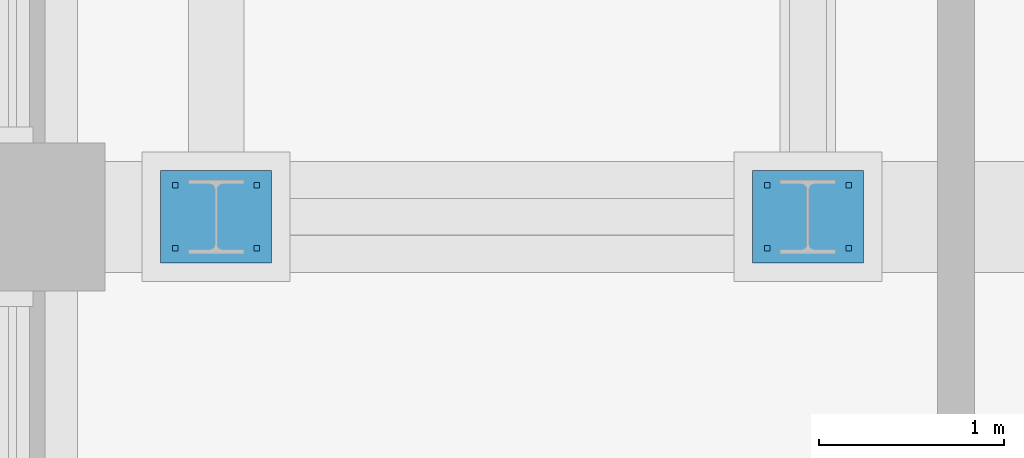
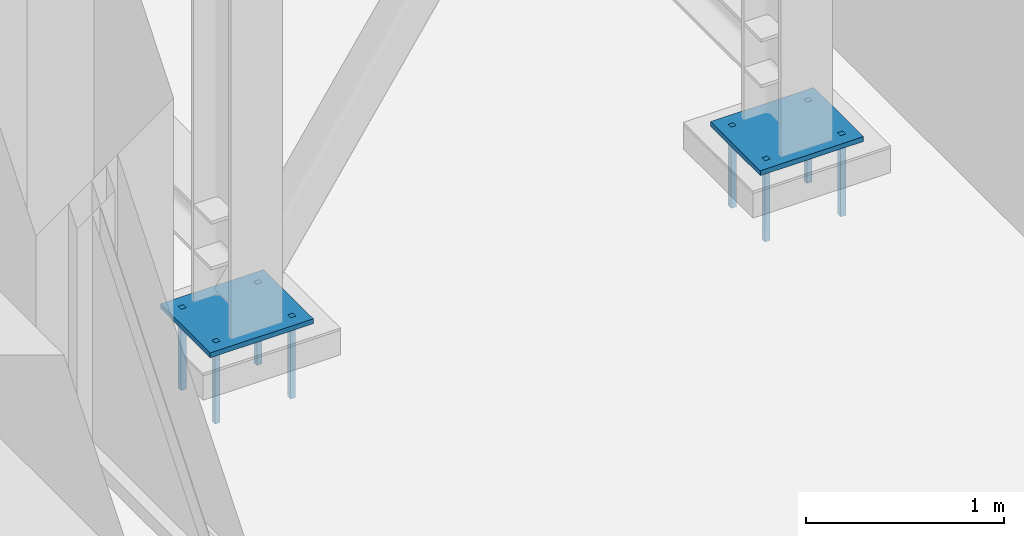
# One storey, part 19 of 29: 10 discrete accessories.
"""IFC4 building model written with IfcOpenShell, lengths in metres."""

import ifcopenshell
import ifcopenshell.guid

model = None  # the IFC model being written
_history = None  # IfcOwnerHistory: only IFC2X3 demands one
_inside = {}  # id of a spatial element -> (the spatial element, [elements in it])
_under = {}  # id of a project, library or spatial element -> (it, [spatial elements below it])
_declared = {}  # id of a project -> (the project, [libraries it declares])
_typed = {}  # id of a type object -> (the type object, [elements of that type])
_made_of = {}  # id of a material, layer set ... -> (it, [elements and type objects made of it])


def new_model(schema):
    """Start an empty IFC model of exactly this schema.

    Asked for "IFC4X3", IfcOpenShell would pick the latest addendum, in which some entities
    have other attributes; the version numbers below select the first issue.
    IFC2X3 requires an IfcOwnerHistory on every rooted entity: one is made here for all.
    """
    global model, _history
    if schema == "IFC4X3":
        model = ifcopenshell.file(schema_version=(4, 3, 0, 0))
    else:
        model = ifcopenshell.file(schema=schema)
    _inside.clear()
    _under.clear()
    _declared.clear()
    _typed.clear()
    _made_of.clear()
    _history = None
    if model.schema == "IFC2X3":
        org = make("IfcOrganization", Name="unknown")
        user = make(
            "IfcPersonAndOrganization",
            ThePerson=make("IfcPerson", FamilyName="unknown"),
            TheOrganization=org,
        )
        app = make(
            "IfcApplication",
            ApplicationDeveloper=org,
            Version="unknown",
            ApplicationFullName="unknown",
            ApplicationIdentifier="unknown",
        )
        _history = make(
            "IfcOwnerHistory",
            OwningUser=user,
            OwningApplication=app,
            ChangeAction="ADDED",
            CreationDate=0,
        )
    return model


def make(cls, **values):
    """One entity of the class cls with the attributes given. An attribute that is None is left unset."""
    return model.create_entity(
        cls, **{name: value for name, value in values.items() if value is not None}
    )


def rooted(cls, **values):
    """An entity with a GlobalId (a new one), such as an element, a storey or a relation."""
    return make(cls, GlobalId=ifcopenshell.guid.new(), OwnerHistory=_history, **values)


def si_unit(unit_type, name, prefix=None):
    """IfcSIUnit, for example si_unit("LENGTHUNIT", "METRE", prefix="MILLI")."""
    return make("IfcSIUnit", UnitType=unit_type, Prefix=prefix, Name=name)


def assignment(units):
    """IfcUnitAssignment: the units of a project."""
    return None if units is None else make("IfcUnitAssignment", Units=units)


def point(xyz):
    """IfcCartesianPoint."""
    return None if xyz is None else make("IfcCartesianPoint", Coordinates=xyz)


def direction(xyz):
    """IfcDirection."""
    return None if xyz is None else make("IfcDirection", DirectionRatios=xyz)


def frame(location, z_axis=None, x_axis=None):
    """IfcAxis2Placement3D, a coordinate frame: its origin and axes. An axis left out is left unset."""
    return make(
        "IfcAxis2Placement3D",
        Location=point(location),
        Axis=direction(z_axis),
        RefDirection=direction(x_axis),
    )


def frame_2d(location, x_axis=None):
    """IfcAxis2Placement2D, a coordinate frame in the plane: its origin and x axis."""
    return make(
        "IfcAxis2Placement2D", Location=point(location), RefDirection=direction(x_axis)
    )


def origin():
    """The frame at (0, 0, 0) with its axes left unset."""
    return frame((0.0, 0.0, 0.0))


def origin_2d():
    """The frame at (0, 0) in the plane with its x axis left unset."""
    return frame_2d((0.0, 0.0))


def place(relative_to, where):
    """IfcLocalPlacement: puts the frame where relative to a parent placement (None: the world)."""
    return make(
        "IfcLocalPlacement", PlacementRelTo=relative_to, RelativePlacement=where
    )


def context(
    kind, dimensions, precision=None, world=None, true_north=None, identifier=None
):
    """IfcGeometricRepresentationContext, for example the 3D "Model" context."""
    return make(
        "IfcGeometricRepresentationContext",
        ContextIdentifier=identifier,
        ContextType=kind,
        CoordinateSpaceDimension=dimensions,
        Precision=precision,
        WorldCoordinateSystem=world,
        TrueNorth=true_north,
    )


def subcontext(parent, identifier, kind, view, scale=None):
    """IfcGeometricRepresentationSubContext, for example "Body" below "Model"."""
    return make(
        "IfcGeometricRepresentationSubContext",
        ContextIdentifier=identifier,
        ContextType=kind,
        ParentContext=parent,
        TargetScale=scale,
        TargetView=view,
    )


def project(units=None, contexts=None):
    """IfcProject with its units and contexts."""
    return rooted(
        "IfcProject",
        Name="project",
        RepresentationContexts=contexts,
        UnitsInContext=assignment(units),
    )


def spatial(cls, under=None, at=None, **own):
    """A site, building, storey or space (cls), placed at a placement, below another one or the project."""
    s = rooted(cls, ObjectPlacement=at, **own)
    if under is not None:
        _under.setdefault(under.id(), (under, []))[1].append(s)
    return s


def profile(cls, at=None, kind="AREA", **sizes):
    """A parametric profile (cls). Its sizes go by their IFC names, for example OverallWidth=200.0."""
    return make(cls, ProfileType=kind, Position=at, **sizes)


def rectangle(**sizes):
    """IfcRectangleProfileDef."""
    return profile("IfcRectangleProfileDef", **sizes)


def extrude(swept, where, along, depth):
    """IfcExtrudedAreaSolid: the profile swept, set in the frame where, extruded along a direction by depth."""
    return make(
        "IfcExtrudedAreaSolid",
        SweptArea=swept,
        Position=where,
        ExtrudedDirection=direction(along),
        Depth=depth,
    )


def shape(context_of_items, identifier, shape_type, items):
    """IfcShapeRepresentation: the items that make up one representation, for example the "Body"."""
    return make(
        "IfcShapeRepresentation",
        ContextOfItems=context_of_items,
        RepresentationIdentifier=identifier,
        RepresentationType=shape_type,
        Items=items,
    )


def material(Name=None, Category=None):
    """IfcMaterial."""
    return make("IfcMaterial", Name=Name, Category=Category)


def layer(
    of_material, thickness, ventilated=None, Name=None, Category=None, Priority=None
):
    """IfcMaterialLayer: one layer of a wall or slab, of a material (None: an air gap)."""
    return make(
        "IfcMaterialLayer",
        Material=of_material,
        LayerThickness=thickness,
        IsVentilated=ventilated,
        Name=Name,
        Category=Category,
        Priority=Priority,
    )


def layer_set(layers, Name=None):
    """IfcMaterialLayerSet."""
    return make("IfcMaterialLayerSet", MaterialLayers=layers, LayerSetName=Name)


def made_of(thing, what):
    """Note that an element or type object is made of a material, layer set ...; save() writes the relation."""
    if what is not None:
        _made_of.setdefault(what.id(), (what, []))[1].append(thing)
    return thing


def type_object(cls, material=None, **own):
    """A type object (cls), such as IfcWallType, which elements share."""
    return made_of(rooted(cls, **own), material)


def element(
    cls,
    number,
    at=None,
    inside=None,
    cuts=None,
    type_object=None,
    material=None,
    context=None,
    identifier="Body",
    shape_type=None,
    held_by="IfcProductDefinitionShape",
    body=None,
    shapes=None,
    **own,
):
    """One element of the class cls, such as IfcWall. Its Tag is "e" and its number.

    at: its placement. inside: the storey or other place that contains it. cuts: it is an
    opening in that element (IfcRelVoidsElement). A single representation is given by context,
    identifier, shape_type and body (its items); several are given by shapes. held_by: the class
    of the entity that holds the representations. save() writes the other relations.
    """
    e = rooted(cls, Tag="e%d" % number, ObjectPlacement=at, **own)
    if body is not None:
        shapes = [shape(context, identifier, shape_type, body)]
    if shapes is not None:
        e.Representation = make(held_by, Representations=shapes)
    if inside is not None:
        _inside.setdefault(inside.id(), (inside, []))[1].append(e)
    if cuts is not None:
        rooted(
            "IfcRelVoidsElement", RelatingBuildingElement=cuts, RelatedOpeningElement=e
        )
    if type_object is not None:
        _typed.setdefault(type_object.id(), (type_object, []))[1].append(e)
    return made_of(e, material)


def aggregate(whole, parts):
    """IfcRelAggregates: a whole, such as a stair, and the parts it consists of."""
    return rooted("IfcRelAggregates", RelatingObject=whole, RelatedObjects=parts)


def save(model, path):
    """Write the relations noted so far, then the file.

    IfcRelAggregates (storeys below a building ...), IfcRelContainedInSpatialStructure (elements
    in a storey), IfcRelDefinesByType, IfcRelAssociatesMaterial and IfcRelDeclares: one each for
    every whole, place, type object, material and project.
    """
    for whole, parts in _under.values():
        aggregate(whole, parts)
    for where, things in _inside.values():
        rooted(
            "IfcRelContainedInSpatialStructure",
            RelatedElements=things,
            RelatingStructure=where,
        )
    for kind, things in _typed.values():
        rooted("IfcRelDefinesByType", RelatedObjects=things, RelatingType=kind)
    for what, things in _made_of.values():
        rooted("IfcRelAssociatesMaterial", RelatedObjects=things, RelatingMaterial=what)
    for by, libraries in _declared.values():
        rooted("IfcRelDeclares", RelatingContext=by, RelatedDefinitions=libraries)
    model.write(path)


model = new_model("IFC4")

# Units and contexts
model_context = context("Model", 3, precision=1e-05, world=origin(), true_north=direction((0.0, 1.0)))
body_context = subcontext(model_context, "Body", "Model", "MODEL_VIEW")
ifc_project = project(units=[si_unit("LENGTHUNIT", "METRE"), si_unit("AREAUNIT", "SQUARE_METRE"), si_unit("VOLUMEUNIT", "CUBIC_METRE"), si_unit("PLANEANGLEUNIT", "RADIAN"), si_unit("MASSUNIT", "GRAM", prefix="KILO")], contexts=[model_context])

# Site, building, storey
site_placement = place(None, origin())
site = spatial("IfcSite", under=ifc_project, at=site_placement, CompositionType="ELEMENT")
building_placement = place(site_placement, origin())
building = spatial("IfcBuilding", under=site, at=building_placement, Name="Msitu Wima Residences", CompositionType="ELEMENT")
storey_placement = place(building_placement, frame((0.0, 0.0, 320.10009765625)))
storey = spatial("IfcBuildingStorey", under=building, at=storey_placement, Name="L74", CompositionType="ELEMENT", Elevation=320.10009765625)

# Discrete accessories
ifc_material = material(Name="Steel S355", Category="steel")
discrete_accessory_type_1 = type_object("IfcDiscreteAccessoryType", Name="Damper anchor bolt AB1", PredefinedType="USERDEFINED", material=ifc_material)
for number, where, z_axis, x_axis, name in (
    (1, (-17.6201171875, -4.638671875, -0.30517578125), (0.0, 0.0, 1.0), (1.0, 0.0, 0.0), "Anchor bolt W1.1"),
    (2, (-17.179931640625, -4.638671875, -0.30517578125), (0.0, 0.0, 1.0), (1.0, 0.0, 0.0), "Anchor bolt W1.2"),
    (3, (-17.179931640625, -4.298583984375, -0.30517578125), (0.0, 0.0, 1.0), (1.0, 0.0, 0.0), "Anchor bolt W1.3"),
    (4, (-17.6201171875, -4.298583984375, -0.30517578125), (0.0, 0.0, 1.0), (1.0, 0.0, 0.0), "Anchor bolt W1.4"),
    (5, (-20.820068359375, -4.638671875, -0.30517578125), (0.0, 0.0, 1.0), (1.0, 0.0, 0.0), "Anchor bolt W3.1"),
    (6, (-20.3798828125, -4.638671875, -0.30517578125), (0.0, 0.0, 1.0), (1.0, 0.0, 0.0), "Anchor bolt W3.2"),
    (7, (-20.3798828125, -4.298583984375, -0.30517578125), (0.0, 0.0, 1.0), (1.0, 0.0, 0.0), "Anchor bolt W3.3"),
    (8, (-20.820068359375, -4.298583984375, -0.30517578125), (0.0, 0.0, 1.0), (1.0, 0.0, 0.0), "Anchor bolt W3.4"),
):
    element("IfcDiscreteAccessory", number, at=place(storey_placement, frame(where, z_axis=z_axis, x_axis=x_axis)), inside=storey, type_object=discrete_accessory_type_1, Name=name, ObjectType="ANCHOR BOLT", PredefinedType="USERDEFINED", context=body_context, shape_type="SweptSolid", body=[
        extrude(rectangle(XDim=0.030029296875, YDim=0.030029296875, at=origin_2d()), origin(), (0.0, 0.0, 1.0), 0.5),
    ])
ifc_layer = layer(ifc_material, 0.030029296875)
ifc_layer_set = layer_set([ifc_layer], Name="Steel S355")
discrete_accessory_type_2 = type_object("IfcDiscreteAccessoryType", Name="Damper base plate BP1", PredefinedType="USERDEFINED", material=ifc_layer_set)
for number, where, z_axis, x_axis, name in (
    (9, (-17.39990234375, -4.46875, 0.1650390625), (0.0, 0.0, 1.0), (1.0, 0.0, 0.0), "Base plate W1"),
    (10, (-20.60009765625, -4.46875, 0.1650390625), (0.0, 0.0, 1.0), (1.0, 0.0, 0.0), "Base plate W3"),
):
    element("IfcDiscreteAccessory", number, at=place(storey_placement, frame(where, z_axis=z_axis, x_axis=x_axis)), inside=storey, type_object=discrete_accessory_type_2, Name=name, ObjectType="BASE PLATE", PredefinedType="USERDEFINED", context=body_context, shape_type="SweptSolid", body=[
        extrude(rectangle(XDim=0.60009765625, YDim=0.5, at=origin_2d()), origin(), (0.0, 0.0, 1.0), 0.030029296875),
    ])

save(model, "model.ifc")
